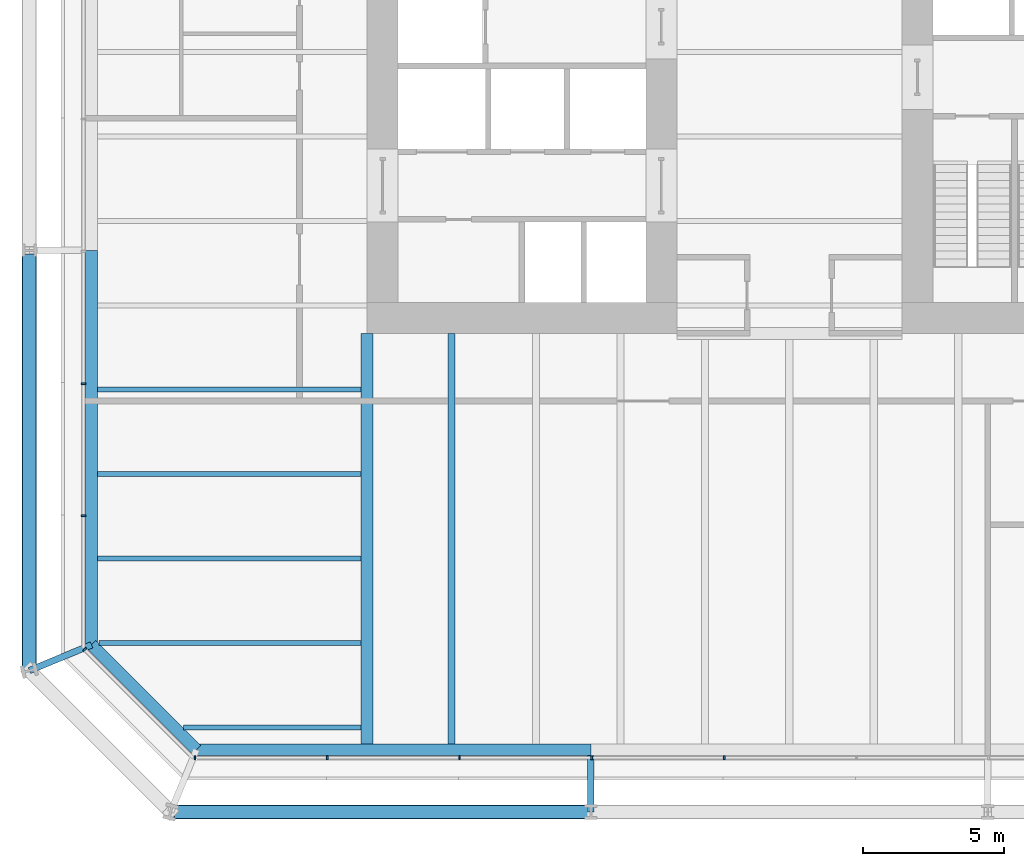
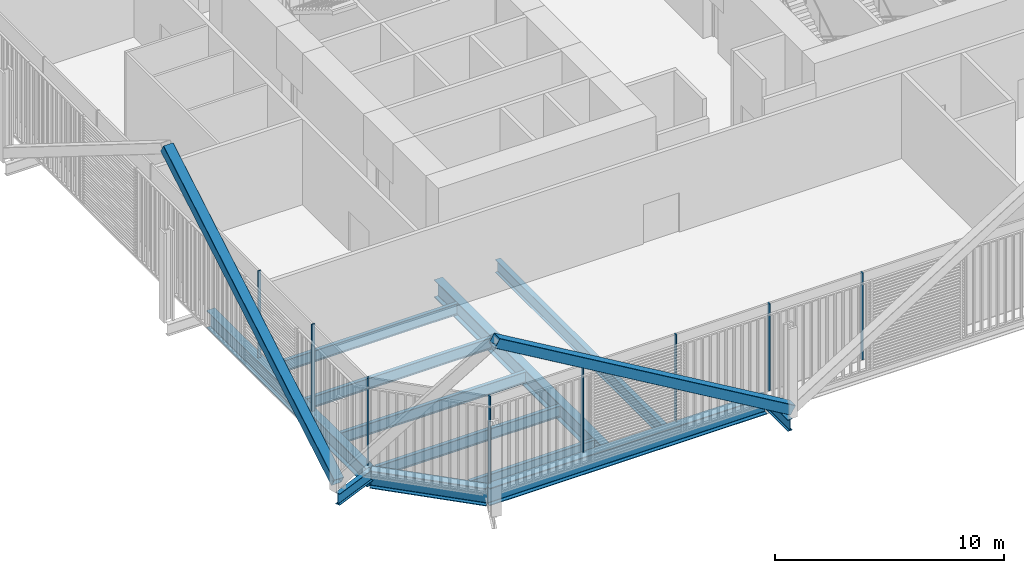
# One storey, part 2 of 22: 12 beams, 10 members, 3 elements without a shape of their own.
"""IFC4 building model written with IfcOpenShell, lengths in metres."""

from ifc_helpers import new_model, si_unit, direction, frame, origin, origin_2d, place, context, subcontext, project, spatial, rectangle, hollow_rectangle, i_section, extrude, material, layer, layer_set, material_profile, profile_set, type_object, element, aggregate, save


model = new_model("IFC4")

# Units and contexts
model_context = context("Model", 3, precision=1e-05, world=origin(), true_north=direction((0.0, 1.0)))
body_context = subcontext(model_context, "Body", "Model", "MODEL_VIEW")
ifc_project = project(units=[si_unit("LENGTHUNIT", "METRE"), si_unit("AREAUNIT", "SQUARE_METRE"), si_unit("VOLUMEUNIT", "CUBIC_METRE"), si_unit("PLANEANGLEUNIT", "RADIAN"), si_unit("MASSUNIT", "GRAM", prefix="KILO")], contexts=[model_context])

# Site, building, storey
site_placement = place(None, origin())
site = spatial("IfcSite", under=ifc_project, at=site_placement, CompositionType="ELEMENT")
building_placement = place(site_placement, origin())
building = spatial("IfcBuilding", under=site, at=building_placement, Name="Millrace Tower", CompositionType="ELEMENT")
storey_placement = place(building_placement, frame((0.0, 0.0, 54.5)))
storey = spatial("IfcBuildingStorey", under=building, at=storey_placement, Name="L12", CompositionType="ELEMENT", Elevation=54.5)

# Curtain wall, member
ifc_material_1 = material(Name="Aluminium and glass", Category="aluminium")
ifc_layer = layer(ifc_material_1, 0.14990234375)
ifc_layer_set = layer_set([ifc_layer], Name="Aluminium and glass")
curtain_wall_type = type_object("IfcCurtainWallType", Name="CW-2 data hall insulated curtain wall", PredefinedType="NOTDEFINED", material=ifc_layer_set)
placement = place(storey_placement, origin())
curtain_wall_1 = element("IfcCurtainWall", 1, at=placement, inside=storey, type_object=curtain_wall_type, Name="Curtain wall A-F01 L12", PredefinedType="NOTDEFINED")
ifc_material_2 = material(Name="Aluminium", Category="aluminium")
ifc_material_profile_1 = material_profile(ifc_material_2, rectangle(XDim=0.06494140625, YDim=0.14990234375, at=origin_2d()))
ifc_profile_set_1 = profile_set([ifc_material_profile_1], Name="Aluminium")
member_type_1 = type_object("IfcMemberType", Name="CW-2 data hall insulated curtain wall mullion", PredefinedType="MULLION", material=ifc_profile_set_1)
member_1_placement = place(storey_placement, frame((-25.030029296875, -21.22607421875, 0.159912109375), z_axis=(0.0, 0.0, 1.0), x_axis=(0.707106781187, -0.707106781187, 0.0)))
member_1 = element("IfcMember", 2, at=member_1_placement, type_object=member_type_1, Name="CW2 mullion A-F01.1", PredefinedType="MULLION", context=body_context, shape_type="SweptSolid", body=[
    extrude(rectangle(XDim=0.06494140625, YDim=0.14990234375, at=origin_2d()), origin(), (0.0, 0.0, 1.0), 4.64013671875),
])
aggregate(curtain_wall_1, [member_1])

# Curtain wall, members
curtain_wall_2 = element("IfcCurtainWall", 3, at=placement, inside=storey, type_object=curtain_wall_type, Name="Curtain wall A-F02 L12", PredefinedType="NOTDEFINED")
member_2_placement = place(storey_placement, frame((-21.117431640625, -25.074951171875, 0.159912109375), z_axis=(0.0, 0.0, 1.0), x_axis=(1.0, 0.0, 0.0)))
member_2 = element("IfcMember", 4, at=member_2_placement, type_object=member_type_1, Name="CW2 mullion A-F02.1", PredefinedType="MULLION", context=body_context, shape_type="SweptSolid", body=[
    extrude(rectangle(XDim=0.06494140625, YDim=0.14990234375, at=origin_2d()), origin(), (0.0, 0.0, 1.0), 4.64013671875),
])
member_3_placement = place(storey_placement, frame((-16.41748046875, -25.074951171875, 0.159912109375), z_axis=(0.0, 0.0, 1.0), x_axis=(1.0, 0.0, 0.0)))
member_3 = element("IfcMember", 5, at=member_3_placement, type_object=member_type_1, Name="CW2 mullion A-F02.2", PredefinedType="MULLION", context=body_context, shape_type="SweptSolid", body=[
    extrude(rectangle(XDim=0.06494140625, YDim=0.14990234375, at=origin_2d()), origin(), (0.0, 0.0, 1.0), 4.64013671875),
])
member_4_placement = place(storey_placement, frame((-11.717529296875, -25.074951171875, 0.159912109375), z_axis=(0.0, 0.0, 1.0), x_axis=(1.0, 0.0, 0.0)))
member_4 = element("IfcMember", 6, at=member_4_placement, type_object=member_type_1, Name="CW2 mullion A-F02.3", PredefinedType="MULLION", context=body_context, shape_type="SweptSolid", body=[
    extrude(rectangle(XDim=0.06494140625, YDim=0.14990234375, at=origin_2d()), origin(), (0.0, 0.0, 1.0), 4.64013671875),
])
member_5_placement = place(storey_placement, frame((-7.017578125, -25.074951171875, 0.159912109375), z_axis=(0.0, 0.0, 1.0), x_axis=(1.0, 0.0, 0.0)))
member_5 = element("IfcMember", 7, at=member_5_placement, type_object=member_type_1, Name="CW2 mullion A-F02.4", PredefinedType="MULLION", context=body_context, shape_type="SweptSolid", body=[
    extrude(rectangle(XDim=0.06494140625, YDim=0.14990234375, at=origin_2d()), origin(), (0.0, 0.0, 1.0), 4.64013671875),
])
member_6_placement = place(storey_placement, frame((-2.3173828125, -25.074951171875, 0.159912109375), z_axis=(0.0, 0.0, 1.0), x_axis=(1.0, 0.0, 0.0)))
member_6 = element("IfcMember", 8, at=member_6_placement, type_object=member_type_1, Name="CW2 mullion A-F02.5", PredefinedType="MULLION", context=body_context, shape_type="SweptSolid", body=[
    extrude(rectangle(XDim=0.06494140625, YDim=0.14990234375, at=origin_2d()), origin(), (0.0, 0.0, 1.0), 4.64013671875),
])
aggregate(curtain_wall_2, [member_2, member_3, member_4, member_5, member_6])

curtain_wall_3 = element("IfcCurtainWall", 9, at=placement, inside=storey, type_object=curtain_wall_type, Name="Curtain wall A-F08 L12", PredefinedType="NOTDEFINED")
member_7_placement = place(storey_placement, frame((-25.074951171875, -11.782470703125, 0.159912109375), z_axis=(0.0, 0.0, 1.0), x_axis=(0.0, -1.0, 0.0)))
member_7 = element("IfcMember", 10, at=member_7_placement, type_object=member_type_1, Name="CW2 mullion A-F08.8", PredefinedType="MULLION", context=body_context, shape_type="SweptSolid", body=[
    extrude(rectangle(XDim=0.06494140625, YDim=0.14990234375, at=origin_2d()), origin(), (0.0, 0.0, 1.0), 4.64013671875),
])
member_8_placement = place(storey_placement, frame((-25.074951171875, -16.482421875, 0.159912109375), z_axis=(0.0, 0.0, 1.0), x_axis=(0.0, -1.0, 0.0)))
member_8 = element("IfcMember", 11, at=member_8_placement, type_object=member_type_1, Name="CW2 mullion A-F08.9", PredefinedType="MULLION", context=body_context, shape_type="SweptSolid", body=[
    extrude(rectangle(XDim=0.06494140625, YDim=0.14990234375, at=origin_2d()), origin(), (0.0, 0.0, 1.0), 4.64013671875),
])
aggregate(curtain_wall_3, [member_7, member_8])

# Members
ifc_material_3 = material(Name="Steel ASTM A500 Grade C", Category="steel")
ifc_material_profile_2 = material_profile(ifc_material_3, hollow_rectangle(XDim=0.508056640625, YDim=0.508056640625, WallThickness=0.01904296875, InnerFilletRadius=0.009521484375, OuterFilletRadius=0.028564453125, at=origin_2d()))
ifc_profile_set_2 = profile_set([ifc_material_profile_2], Name="Steel ASTM A500 Grade C")
member_type_2 = type_object("IfcMemberType", Name="Exoskeleton brace HSS20x20x3/4", PredefinedType="BRACE", material=ifc_profile_set_2)
for number, where, z_axis, x_axis, name in (
    (12, (-7.050048828125, -27.0, 0.39990234375), (-0.861464835883, 0.0, 0.507817227491), (0.0, -1.0, 0.0), "BRC-A-L12-02"),
    (13, (-27.0, -21.978515625, 0.39990234375), (0.0, 0.861464835883, 0.507817227491), (-1.0, 0.0, 0.0), "BRC-A-L12-16"),
):
    element("IfcMember", number, at=place(storey_placement, frame(where, z_axis=z_axis, x_axis=x_axis)), inside=storey, type_object=member_type_2, Name=name, PredefinedType="BRACE", context=body_context, shape_type="SweptSolid", body=[
        extrude(hollow_rectangle(XDim=0.508056640625, YDim=0.508056640625, WallThickness=0.01904296875, InnerFilletRadius=0.009521484375, OuterFilletRadius=0.028564453125, at=origin_2d()), origin(), (0.0, 0.0, 1.0), 17.3291015625),
    ])

# Beams
ifc_material_4 = material(Name="Steel ASTM A992 Grade 50", Category="steel")
ifc_material_profile_3 = material_profile(ifc_material_4, i_section(OverallWidth=0.177978515625, OverallDepth=0.599365234375, WebThickness=0.010009765625, FlangeThickness=0.012939453125, FilletRadius=0.012939453125, at=origin_2d()))
ifc_profile_set_3 = profile_set([ifc_material_profile_3], Name="Steel ASTM A992 Grade 50")
beam_type_1 = type_object("IfcBeamType", Name="Floor beam W24x55", PredefinedType="JOIST", material=ifc_profile_set_3)
beam_1_placement = place(storey_placement, frame((-21.52978515625, -24.0, -0.524658203125), z_axis=(1.0, 0.0, 0.0), x_axis=(0.0, 1.0, 0.0)))
element("IfcBeam", 14, at=beam_1_placement, inside=storey, type_object=beam_type_1, Name="BM-A-L12-S1-S001", PredefinedType="JOIST", context=body_context, shape_type="SweptSolid", body=[
    extrude(i_section(OverallWidth=0.177978515625, OverallDepth=0.599365234375, WebThickness=0.010009765625, FlangeThickness=0.012939453125, FilletRadius=0.012939453125, at=origin_2d()), origin(), (0.0, 0.0, 1.0), 6.317626953125),
])
ifc_material_5 = material(Name="Steel ASTM A992 Grade 50", Category="steel")
ifc_material_profile_4 = material_profile(ifc_material_5, i_section(OverallWidth=0.1787109375, OverallDepth=0.60205078125, WebThickness=0.010986328125, FlangeThickness=0.014892578125, FilletRadius=0.0126953125, at=origin_2d()))
ifc_profile_set_4 = profile_set([ifc_material_profile_4], Name="Steel ASTM A992 Grade 50")
beam_type_2 = type_object("IfcBeamType", Name="Floor beam W24x62", PredefinedType="JOIST", material=ifc_profile_set_4)
for number, where, z_axis, x_axis, name in (
    (15, (-24.578369140625, -18.0, -0.52587890625), (1.0, 0.0, 0.0), (0.0, 1.0, 0.0), "BM-A-L12-S1-S005"),
    (16, (-24.578369140625, -15.0, -0.52587890625), (1.0, 0.0, 0.0), (0.0, 1.0, 0.0), "BM-A-L12-S1-S007"),
    (17, (-24.578369140625, -12.0, -0.52587890625), (1.0, 0.0, 0.0), (0.0, 1.0, 0.0), "BM-A-L12-S1-S009"),
):
    element("IfcBeam", number, at=place(storey_placement, frame(where, z_axis=z_axis, x_axis=x_axis)), inside=storey, type_object=beam_type_2, Name=name, PredefinedType="JOIST", context=body_context, shape_type="SweptSolid", body=[
        extrude(i_section(OverallWidth=0.1787109375, OverallDepth=0.60205078125, WebThickness=0.010986328125, FlangeThickness=0.014892578125, FilletRadius=0.0126953125, at=origin_2d()), origin(), (0.0, 0.0, 1.0), 9.3662109375),
    ])
beam_2_placement = place(storey_placement, frame((-24.52978515625, -21.0, -0.52587890625), z_axis=(1.0, 0.0, 0.0), x_axis=(0.0, 1.0, 0.0)))
element("IfcBeam", 18, at=beam_2_placement, inside=storey, type_object=beam_type_2, Name="BM-A-L12-S1-S003", PredefinedType="JOIST", context=body_context, shape_type="SweptSolid", body=[
    extrude(i_section(OverallWidth=0.1787109375, OverallDepth=0.60205078125, WebThickness=0.010986328125, FlangeThickness=0.014892578125, FilletRadius=0.0126953125, at=origin_2d()), origin(), (0.0, 0.0, 1.0), 9.317626953125),
])
ifc_material_6 = material(Name="Steel ASTM A992 Grade 50", Category="steel")
ifc_material_profile_5 = material_profile(ifc_material_6, i_section(OverallWidth=0.256591796875, OverallDepth=0.693359375, WebThickness=0.014404296875, FlangeThickness=0.023681640625, FilletRadius=0.01513671875, at=origin_2d()))
ifc_profile_set_5 = profile_set([ifc_material_profile_5], Name="Steel ASTM A992 Grade 50")
beam_type_3 = type_object("IfcBeamType", Name="Floor beam W27x114", PredefinedType="JOIST", material=ifc_profile_set_5)
beam_3_placement = place(storey_placement, frame((-12.0, -24.578369140625, -0.57177734375), z_axis=(0.0, 1.0, 0.0), x_axis=(-1.0, 0.0, 0.0)))
element("IfcBeam", 19, at=beam_3_placement, inside=storey, type_object=beam_type_3, Name="BM-A-L12-S1-S043", PredefinedType="JOIST", context=body_context, shape_type="SweptSolid", body=[
    extrude(i_section(OverallWidth=0.256591796875, OverallDepth=0.693359375, WebThickness=0.014404296875, FlangeThickness=0.023681640625, FilletRadius=0.01513671875, at=origin_2d()), origin(), (0.0, 0.0, 1.0), 14.578369140625),
])
ifc_material_7 = material(Name="Steel ASTM A992 Grade 50", Category="steel")
ifc_material_profile_6 = material_profile(ifc_material_7, i_section(OverallWidth=0.424072265625, OverallDepth=0.947509765625, WebThickness=0.02392578125, FlangeThickness=0.042724609375, FilletRadius=0.024169921875, at=origin_2d()))
ifc_profile_set_6 = profile_set([ifc_material_profile_6], Name="Steel ASTM A992 Grade 50")
beam_type_4 = type_object("IfcBeamType", Name="Girder medium span W36x302", PredefinedType="BEAM", material=ifc_profile_set_6)
beam_4_placement = place(storey_placement, frame((-15.0, -24.578369140625, -0.69873046875), z_axis=(0.0, 1.0, 0.0), x_axis=(-1.0, 0.0, 0.0)))
element("IfcBeam", 20, at=beam_4_placement, inside=storey, type_object=beam_type_4, Name="BM-A-L12-S1-G061", PredefinedType="BEAM", context=body_context, shape_type="SweptSolid", body=[
    extrude(i_section(OverallWidth=0.424072265625, OverallDepth=0.947509765625, WebThickness=0.02392578125, FlangeThickness=0.042724609375, FilletRadius=0.024169921875, at=origin_2d()), origin(), (0.0, 0.0, 1.0), 14.578369140625),
])
ifc_material_8 = material(Name="Steel ASTM A992 Grade 50", Category="steel")
ifc_material_profile_7 = material_profile(ifc_material_8, i_section(OverallWidth=0.23046875, OverallDepth=0.6171875, WebThickness=0.01318359375, FlangeThickness=0.022216796875, FilletRadius=0.012939453125, at=origin_2d()))
ifc_profile_set_7 = profile_set([ifc_material_profile_7], Name="Steel ASTM A992 Grade 50")
beam_type_5 = type_object("IfcBeamType", Name="Link beam W24x94", PredefinedType="BEAM", material=ifc_profile_set_7)
beam_5_placement = place(storey_placement, frame((-24.7890625, -21.062744140625, -0.53369140625), z_axis=(-0.923883789366, -0.382673155247, 0.0), x_axis=(0.382673155247, -0.923883789366, 0.0)))
element("IfcBeam", 21, at=beam_5_placement, inside=storey, type_object=beam_type_5, Name="LNK-A-L12-S1-01", PredefinedType="BEAM", context=body_context, shape_type="SweptSolid", body=[
    extrude(i_section(OverallWidth=0.23046875, OverallDepth=0.6171875, WebThickness=0.01318359375, FlangeThickness=0.022216796875, FilletRadius=0.012939453125, at=origin_2d()), origin(), (0.0, 0.0, 1.0), 2.39306640625),
])
beam_6_placement = place(storey_placement, frame((-7.050048828125, -25.0, -0.53369140625), z_axis=(0.0, -1.0, 0.0), x_axis=(1.0, 0.0, 0.0)))
element("IfcBeam", 22, at=beam_6_placement, inside=storey, type_object=beam_type_5, Name="LNK-A-L12-S1-15", PredefinedType="BEAM", context=body_context, shape_type="SweptSolid", body=[
    extrude(i_section(OverallWidth=0.23046875, OverallDepth=0.6171875, WebThickness=0.01318359375, FlangeThickness=0.022216796875, FilletRadius=0.012939453125, at=origin_2d()), origin(), (0.0, 0.0, 1.0), 2.0),
])
ifc_material_9 = material(Name="Steel ASTM A992 Grade 50", Category="steel")
ifc_material_profile_8 = material_profile(ifc_material_9, i_section(OverallWidth=0.421630859375, OverallDepth=0.937255859375, WebThickness=0.021240234375, FlangeThickness=0.03662109375, FilletRadius=0.024169921875, at=origin_2d()))
ifc_profile_set_8 = profile_set([ifc_material_profile_8], Name="Steel ASTM A992 Grade 50")
beam_type_6 = type_object("IfcBeamType", Name="Ring beam medium span W36x262", PredefinedType="SPANDREL", material=ifc_profile_set_8)
for number, where, z_axis, x_axis, name in (
    (23, (-24.7890625, -21.062744140625, -0.693603515625), (0.0, 1.0, 0.0), (-1.0, 0.0, 0.0), "RNG-A-L12-S1-01"),
    (24, (-7.050048828125, -24.7890625, -0.693603515625), (-1.0, 0.0, 0.0), (0.0, -1.0, 0.0), "RNG-A-L12-S1-15"),
):
    element("IfcBeam", number, at=place(storey_placement, frame(where, z_axis=z_axis, x_axis=x_axis)), inside=storey, type_object=beam_type_6, Name=name, PredefinedType="SPANDREL", context=body_context, shape_type="SweptSolid", body=[
        extrude(i_section(OverallWidth=0.421630859375, OverallDepth=0.937255859375, WebThickness=0.021240234375, FlangeThickness=0.03662109375, FilletRadius=0.024169921875, at=origin_2d()), origin(), (0.0, 0.0, 1.0), 14.0126953125),
    ])
ifc_material_10 = material(Name="Steel ASTM A992 Grade 50", Category="steel")
ifc_material_profile_9 = material_profile(ifc_material_10, i_section(OverallWidth=0.421630859375, OverallDepth=0.937255859375, WebThickness=0.021240234375, FlangeThickness=0.03662109375, FilletRadius=0.024169921875, at=origin_2d()))
ifc_profile_set_9 = profile_set([ifc_material_profile_9], Name="Steel ASTM A992 Grade 50")
beam_type_7 = type_object("IfcBeamType", Name="Ring beam short span W36x262", PredefinedType="SPANDREL", material=ifc_profile_set_9)
beam_7_placement = place(storey_placement, frame((-21.062744140625, -24.7890625, -0.693603515625), z_axis=(-0.707106781187, 0.707106781187, 0.0), x_axis=(-0.707106781187, -0.707106781187, 0.0)))
element("IfcBeam", 25, at=beam_7_placement, inside=storey, type_object=beam_type_7, Name="RNG-A-L12-S1-16", PredefinedType="SPANDREL", context=body_context, shape_type="SweptSolid", body=[
    extrude(i_section(OverallWidth=0.421630859375, OverallDepth=0.937255859375, WebThickness=0.021240234375, FlangeThickness=0.03662109375, FilletRadius=0.024169921875, at=origin_2d()), origin(), (0.0, 0.0, 1.0), 5.269775390625),
])

save(model, "model.ifc")
